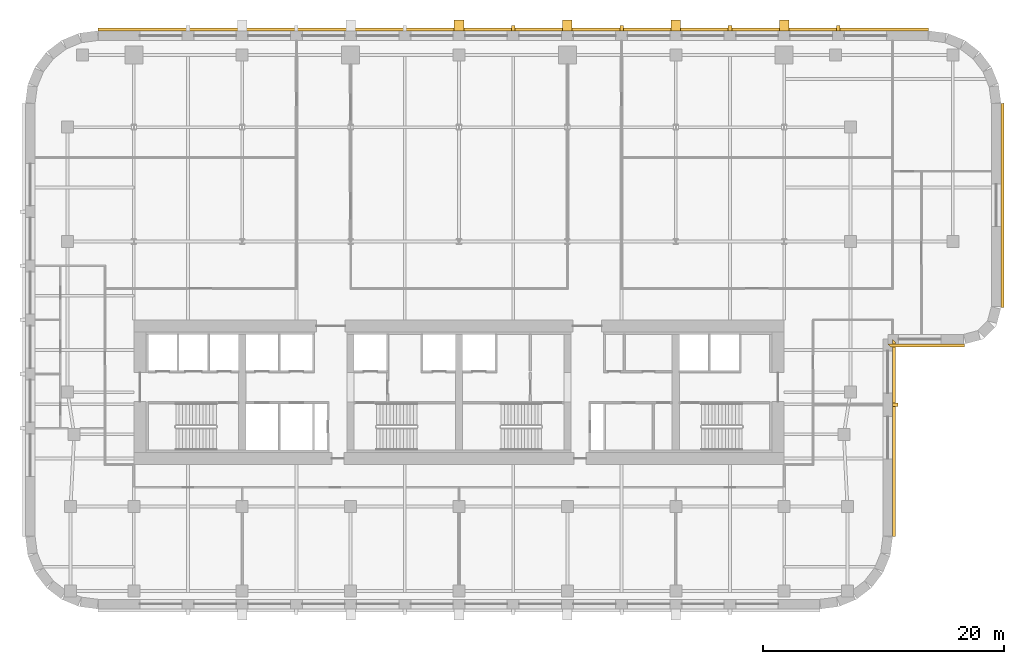
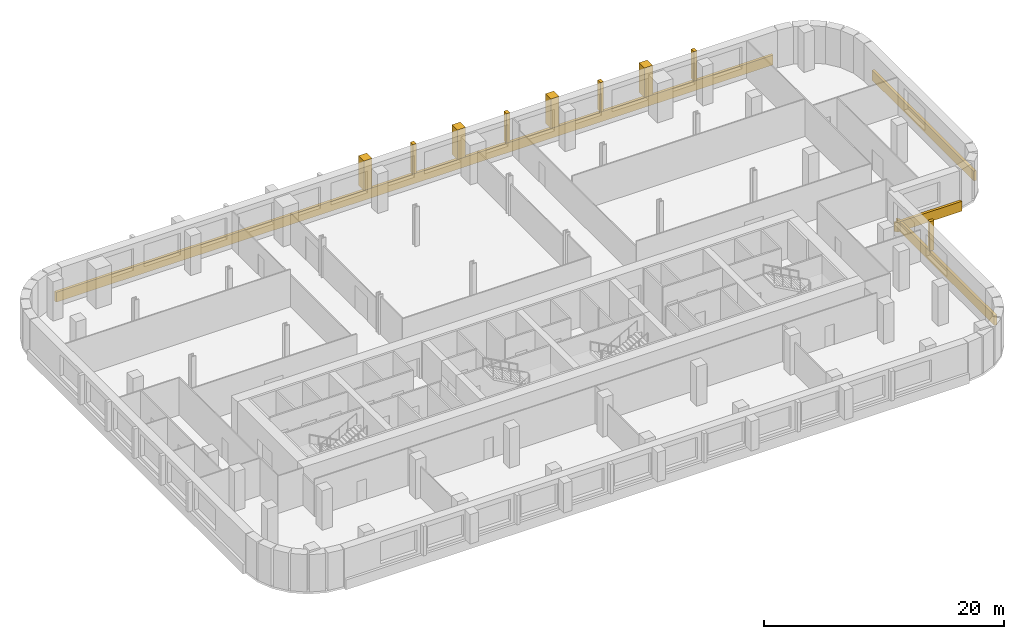
# One storey, part 9 of 9: 13 coverings.
"""IFC4 building model written with IfcOpenShell, lengths in metres."""

from ifc_helpers import new_model, si_unit, direction, frame, origin, place, context, subcontext, project, spatial, polyline, outline, extrude, material, layer, layer_set, type_object, element, save


model = new_model("IFC4")

# Units and contexts
model_context = context("Model", 3, precision=1e-05, world=origin(), true_north=direction((0.0, 1.0)))
body_context = subcontext(model_context, "Body", "Model", "MODEL_VIEW")
ifc_project = project(units=[si_unit("LENGTHUNIT", "METRE"), si_unit("AREAUNIT", "SQUARE_METRE"), si_unit("VOLUMEUNIT", "CUBIC_METRE"), si_unit("PLANEANGLEUNIT", "RADIAN"), si_unit("MASSUNIT", "GRAM", prefix="KILO")], contexts=[model_context])

# Site, building, storey
site_placement = place(None, origin())
site = spatial("IfcSite", under=ifc_project, at=site_placement, CompositionType="ELEMENT")
building_placement = place(site_placement, origin())
building = spatial("IfcBuilding", under=site, at=building_placement, Name="Zellij Exchange Tower", CompositionType="ELEMENT")
storey_placement = place(building_placement, frame((0.0, 0.0, 116.5)))
storey = spatial("IfcBuildingStorey", under=building, at=storey_placement, Name="L25", CompositionType="ELEMENT", Elevation=116.5)

# Coverings
ifc_material = material(Name="Limestone cladding", Category="masonry")
covering_type_1 = type_object("IfcCoveringType", Name="ENV-CV5 Stone pier 800x900", PredefinedType="CLADDING", material=ifc_material)
covering_1_placement = place(storey_placement, frame((0.0, 0.0, 0.800048828125)))
element("IfcCovering", 1, at=covering_1_placement, inside=storey, type_object=covering_type_1, Name="Stone pier", PredefinedType="CLADDING", context=body_context, shape_type="SweptSolid", body=[
    extrude(outline(polyline([(27.39990234375, 22.0), (26.60009765625, 22.0), (26.60009765625, 22.89990234375), (27.39990234375, 22.89990234375), (27.39990234375, 22.0)])), origin(), (0.0, 0.0, 1.0), 3.0),
])
covering_2_placement = place(storey_placement, frame((0.0, 0.0, 0.800048828125)))
element("IfcCovering", 2, at=covering_2_placement, inside=storey, type_object=covering_type_1, Name="Stone pier", PredefinedType="CLADDING", context=body_context, shape_type="SweptSolid", body=[
    extrude(outline(polyline([(18.39990234375, 22.0), (17.60009765625, 22.0), (17.60009765625, 22.89990234375), (18.39990234375, 22.89990234375), (18.39990234375, 22.0)])), origin(), (0.0, 0.0, 1.0), 3.0),
])
covering_3_placement = place(storey_placement, frame((0.0, 0.0, 0.800048828125)))
element("IfcCovering", 3, at=covering_3_placement, inside=storey, type_object=covering_type_1, Name="Stone pier", PredefinedType="CLADDING", context=body_context, shape_type="SweptSolid", body=[
    extrude(outline(polyline([(9.39990234375, 22.0), (8.60009765625, 22.0), (8.60009765625, 22.89990234375), (9.39990234375, 22.89990234375), (9.39990234375, 22.0)])), origin(), (0.0, 0.0, 1.0), 3.0),
])
covering_4_placement = place(storey_placement, frame((0.0, 0.0, 0.800048828125)))
element("IfcCovering", 4, at=covering_4_placement, inside=storey, type_object=covering_type_1, Name="Stone pier", PredefinedType="CLADDING", context=body_context, shape_type="SweptSolid", body=[
    extrude(outline(polyline([(0.39990234375, 22.0), (-0.39990234375, 22.0), (-0.39990234375, 22.89990234375), (0.39990234375, 22.89990234375), (0.39990234375, 22.0)])), origin(), (0.0, 0.0, 1.0), 3.0),
])
covering_type_2 = type_object("IfcCoveringType", Name="ENV-CV7 Stone pier 300x450", PredefinedType="CLADDING", material=ifc_material)
covering_5_placement = place(storey_placement, frame((0.0, 0.0, 0.800048828125)))
element("IfcCovering", 5, at=covering_5_placement, inside=storey, type_object=covering_type_2, Name="Stone pier", PredefinedType="CLADDING", context=body_context, shape_type="SweptSolid", body=[
    extrude(outline(polyline([(36.0, -9.2080078125), (36.0, -8.907958984375), (36.449951171875, -8.907958984375), (36.449951171875, -9.2080078125), (36.0, -9.2080078125)])), origin(), (0.0, 0.0, 1.0), 3.0),
])
covering_6_placement = place(storey_placement, frame((0.0, 0.0, 0.800048828125)))
element("IfcCovering", 6, at=covering_6_placement, inside=storey, type_object=covering_type_2, Name="Stone pier", PredefinedType="CLADDING", context=body_context, shape_type="SweptSolid", body=[
    extrude(outline(polyline([(31.64990234375, 22.0), (31.35009765625, 22.0), (31.35009765625, 22.449951171875), (31.64990234375, 22.449951171875), (31.64990234375, 22.0)])), origin(), (0.0, 0.0, 1.0), 3.0),
])
covering_7_placement = place(storey_placement, frame((0.0, 0.0, 0.800048828125)))
element("IfcCovering", 7, at=covering_7_placement, inside=storey, type_object=covering_type_2, Name="Stone pier", PredefinedType="CLADDING", context=body_context, shape_type="SweptSolid", body=[
    extrude(outline(polyline([(22.64990234375, 22.0), (22.35009765625, 22.0), (22.35009765625, 22.449951171875), (22.64990234375, 22.449951171875), (22.64990234375, 22.0)])), origin(), (0.0, 0.0, 1.0), 3.0),
])
covering_8_placement = place(storey_placement, frame((0.0, 0.0, 0.800048828125)))
element("IfcCovering", 8, at=covering_8_placement, inside=storey, type_object=covering_type_2, Name="Stone pier", PredefinedType="CLADDING", context=body_context, shape_type="SweptSolid", body=[
    extrude(outline(polyline([(13.64990234375, 22.0), (13.35009765625, 22.0), (13.35009765625, 22.449951171875), (13.64990234375, 22.449951171875), (13.64990234375, 22.0)])), origin(), (0.0, 0.0, 1.0), 3.0),
])
covering_9_placement = place(storey_placement, frame((0.0, 0.0, 0.800048828125)))
element("IfcCovering", 9, at=covering_9_placement, inside=storey, type_object=covering_type_2, Name="Stone pier", PredefinedType="CLADDING", context=body_context, shape_type="SweptSolid", body=[
    extrude(outline(polyline([(4.64990234375, 22.0), (4.35009765625, 22.0), (4.35009765625, 22.449951171875), (4.64990234375, 22.449951171875), (4.64990234375, 22.0)])), origin(), (0.0, 0.0, 1.0), 3.0),
])
ifc_layer = layer(ifc_material, 0.25)
ifc_layer_set = layer_set([ifc_layer], Name="Limestone cladding")
covering_type_3 = type_object("IfcCoveringType", Name="ENV-CV8 Stone spandrel band 250", PredefinedType="CLADDING", material=ifc_layer_set)
covering_10_placement = place(storey_placement, frame((0.0, 0.0, -0.199951171875)))
element("IfcCovering", 10, at=covering_10_placement, inside=storey, type_object=covering_type_3, Name="Stone spandrel band", PredefinedType="CLADDING", context=body_context, shape_type="SweptSolid", body=[
    extrude(outline(polyline([(36.0, -19.973876953125), (36.0, -3.60009765625), (36.25, -3.85009765625), (36.25, -19.990234375), (36.0, -19.973876953125)])), origin(), (0.0, 0.0, 1.0), 1.0),
])
covering_11_placement = place(storey_placement, frame((0.0, 0.0, -0.199951171875)))
element("IfcCovering", 11, at=covering_11_placement, inside=storey, type_object=covering_type_3, Name="Stone spandrel band", PredefinedType="CLADDING", context=body_context, shape_type="SweptSolid", body=[
    extrude(outline(polyline([(35.60009765625, -4.0), (41.947265625, -4.0), (41.980224609375, -4.25), (35.85009765625, -4.25), (35.60009765625, -4.0)])), origin(), (0.0, 0.0, 1.0), 1.0),
])
covering_12_placement = place(storey_placement, frame((0.0, 0.0, -0.199951171875)))
element("IfcCovering", 12, at=covering_12_placement, inside=storey, type_object=covering_type_3, Name="Stone spandrel band", PredefinedType="CLADDING", context=body_context, shape_type="SweptSolid", body=[
    extrude(outline(polyline([(45.0, -0.947265625), (45.0, 15.973876953125), (45.25, 15.990234375), (45.25, -0.980224609375), (45.0, -0.947265625)])), origin(), (0.0, 0.0, 1.0), 1.0),
])
covering_13_placement = place(storey_placement, frame((0.0, 0.0, -0.199951171875)))
element("IfcCovering", 13, at=covering_13_placement, inside=storey, type_object=covering_type_3, Name="Stone spandrel band", PredefinedType="CLADDING", context=body_context, shape_type="SweptSolid", body=[
    extrude(outline(polyline([(38.973876953125, 22.0), (-29.973876953125, 22.0), (-29.990234375, 22.25), (38.990234375, 22.25), (38.973876953125, 22.0)])), origin(), (0.0, 0.0, 1.0), 1.0),
])

save(model, "model.ifc")
